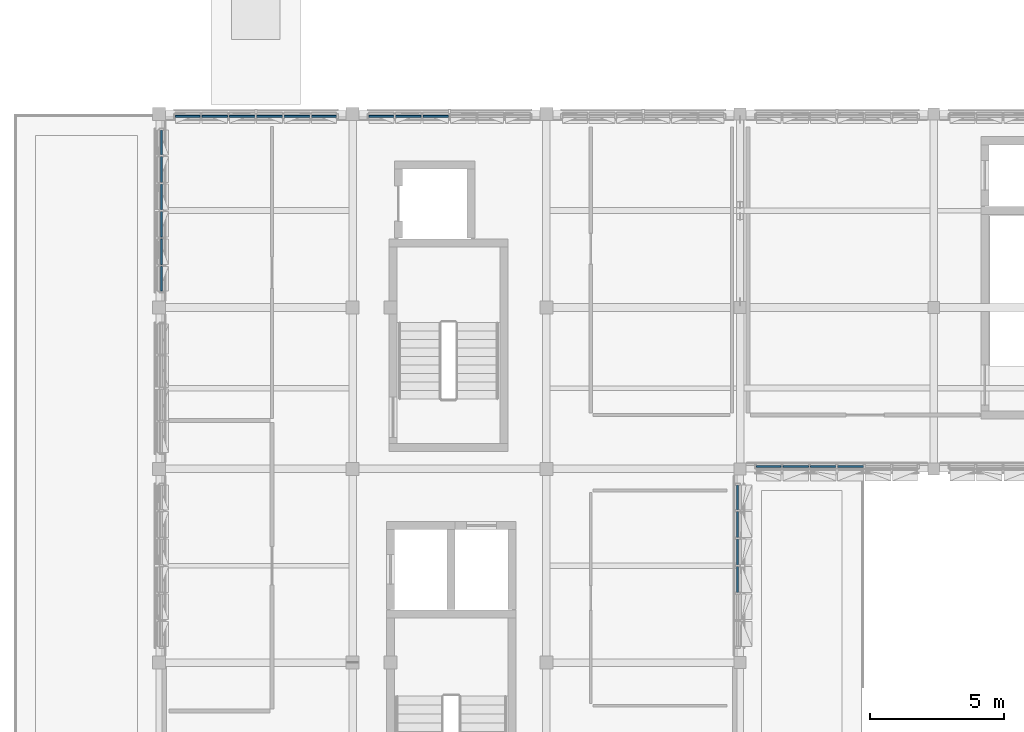
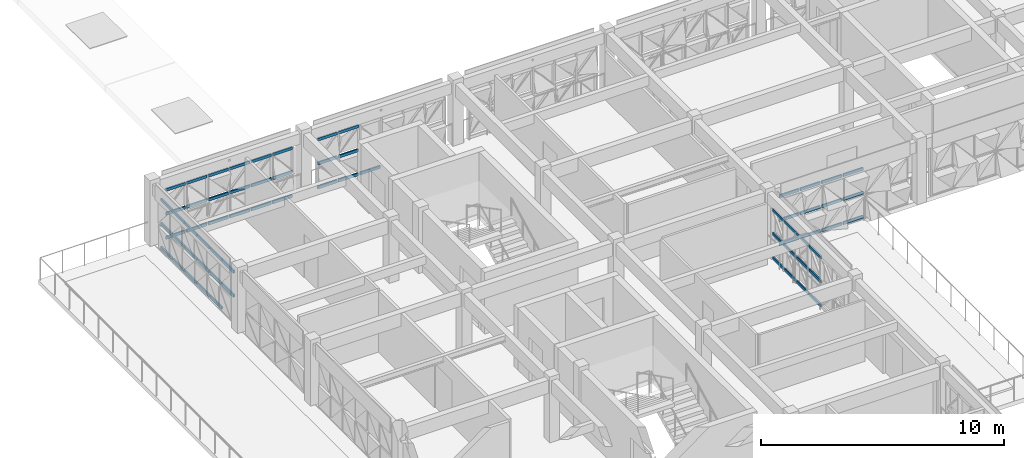
# One storey, part 9 of 35: 66 members, 5 elements without a shape of their own.
"""IFC4 building model written with IfcOpenShell, lengths in metres."""

from ifc_helpers import new_model, si_unit, direction, frame, origin, origin_2d, place, context, subcontext, project, spatial, rectangle, extrude, material, material_profile, profile_set, type_object, element, aggregate, save


model = new_model("IFC4")

# Units and contexts
model_context = context("Model", 3, precision=1e-05, world=origin(), true_north=direction((0.0, 1.0)))
body_context = subcontext(model_context, "Body", "Model", "MODEL_VIEW")
ifc_project = project(units=[si_unit("LENGTHUNIT", "METRE"), si_unit("AREAUNIT", "SQUARE_METRE"), si_unit("VOLUMEUNIT", "CUBIC_METRE"), si_unit("PLANEANGLEUNIT", "RADIAN"), si_unit("MASSUNIT", "GRAM", prefix="KILO")], contexts=[model_context])

# Site, building, storey
site_placement = place(None, origin())
site = spatial("IfcSite", under=ifc_project, at=site_placement, CompositionType="ELEMENT")
building_placement = place(site_placement, origin())
building = spatial("IfcBuilding", under=site, at=building_placement, Name="Alvorim Cloister Faculty of Sciences", CompositionType="ELEMENT")
storey_placement = place(building_placement, frame((0.0, 0.0, 22.949951171875)))
storey = spatial("IfcBuildingStorey", under=building, at=storey_placement, Name="L06", CompositionType="ELEMENT", Elevation=22.949951171875)

# Curtain wall, members
ifc_material_1 = material(Name="Aluminium and Low-E Glass Curtain Wall", Category="aluminium")
curtain_wall_type = type_object("IfcCurtainWallType", Name="CW-TRI-6120x2550", PredefinedType="USERDEFINED", material=ifc_material_1)
curtain_wall_1_placement = place(storey_placement, origin())
curtain_wall_1 = element("IfcCurtainWall", 1, at=curtain_wall_1_placement, inside=storey, type_object=curtain_wall_type, Name="L06 Diagonal Cassette Curtain Wall CW-0244", ObjectType="UNITISED CURTAIN WALL", PredefinedType="USERDEFINED")
ifc_material_2 = material(Name="Aluminium Alloy 6063-T6", Category="aluminium")
ifc_material_profile = material_profile(ifc_material_2, rectangle(XDim=0.06494140625, YDim=0.139892578125, at=origin_2d()), Name="ALU-TRN-65x140")
ifc_profile_set = profile_set([ifc_material_profile], Name="Aluminium Alloy 6063-T6")
member_type = type_object("IfcMemberType", Name="CW-TRN-65x140", PredefinedType="USERDEFINED", material=ifc_profile_set)
member_1_placement = place(storey_placement, frame((7.2900390625, 49.804931640625, 1.275146484375), z_axis=(0.0, 1.0, 0.0), x_axis=(-1.0, 0.0, 0.0)))
member_1 = element("IfcMember", 2, at=member_1_placement, type_object=member_type, Name="CW-0244 Transom 1.2", ObjectType="TRANSOM", PredefinedType="USERDEFINED", context=body_context, shape_type="SweptSolid", body=[
    extrude(rectangle(XDim=0.06494140625, YDim=0.139892578125, at=origin_2d()), origin(), (0.0, 0.0, 1.0), 0.922607421875),
])
member_2_placement = place(storey_placement, frame((7.2900390625, 49.804931640625, 2.47998046875), z_axis=(0.0, 1.0, 0.0), x_axis=(-1.0, 0.0, 0.0)))
member_2 = element("IfcMember", 3, at=member_2_placement, type_object=member_type, Name="CW-0244 Transom 1.3", ObjectType="TRANSOM", PredefinedType="USERDEFINED", context=body_context, shape_type="SweptSolid", body=[
    extrude(rectangle(XDim=0.06494140625, YDim=0.139892578125, at=origin_2d()), origin(), (0.0, 0.0, 1.0), 0.922607421875),
])
member_3_placement = place(storey_placement, frame((7.2900390625, 50.79248046875, 0.070068359375), z_axis=(0.0, 1.0, 0.0), x_axis=(-1.0, 0.0, 0.0)))
member_3 = element("IfcMember", 4, at=member_3_placement, type_object=member_type, Name="CW-0244 Transom 2.1", ObjectType="TRANSOM", PredefinedType="USERDEFINED", context=body_context, shape_type="SweptSolid", body=[
    extrude(rectangle(XDim=0.06494140625, YDim=0.139892578125, at=origin_2d()), origin(), (0.0, 0.0, 1.0), 0.955078125),
])
member_4_placement = place(storey_placement, frame((7.2900390625, 50.79248046875, 1.275146484375), z_axis=(0.0, 1.0, 0.0), x_axis=(-1.0, 0.0, 0.0)))
member_4 = element("IfcMember", 5, at=member_4_placement, type_object=member_type, Name="CW-0244 Transom 2.2", ObjectType="TRANSOM", PredefinedType="USERDEFINED", context=body_context, shape_type="SweptSolid", body=[
    extrude(rectangle(XDim=0.06494140625, YDim=0.139892578125, at=origin_2d()), origin(), (0.0, 0.0, 1.0), 0.955078125),
])
member_5_placement = place(storey_placement, frame((7.2900390625, 50.79248046875, 2.47998046875), z_axis=(0.0, 1.0, 0.0), x_axis=(-1.0, 0.0, 0.0)))
member_5 = element("IfcMember", 6, at=member_5_placement, type_object=member_type, Name="CW-0244 Transom 2.3", ObjectType="TRANSOM", PredefinedType="USERDEFINED", context=body_context, shape_type="SweptSolid", body=[
    extrude(rectangle(XDim=0.06494140625, YDim=0.139892578125, at=origin_2d()), origin(), (0.0, 0.0, 1.0), 0.955078125),
])
member_6_placement = place(storey_placement, frame((7.2900390625, 51.8125, 0.070068359375), z_axis=(0.0, 1.0, 0.0), x_axis=(-1.0, 0.0, 0.0)))
member_6 = element("IfcMember", 7, at=member_6_placement, type_object=member_type, Name="CW-0244 Transom 3.1", ObjectType="TRANSOM", PredefinedType="USERDEFINED", context=body_context, shape_type="SweptSolid", body=[
    extrude(rectangle(XDim=0.06494140625, YDim=0.139892578125, at=origin_2d()), origin(), (0.0, 0.0, 1.0), 0.955078125),
])
member_7_placement = place(storey_placement, frame((7.2900390625, 51.8125, 1.275146484375), z_axis=(0.0, 1.0, 0.0), x_axis=(-1.0, 0.0, 0.0)))
member_7 = element("IfcMember", 8, at=member_7_placement, type_object=member_type, Name="CW-0244 Transom 3.2", ObjectType="TRANSOM", PredefinedType="USERDEFINED", context=body_context, shape_type="SweptSolid", body=[
    extrude(rectangle(XDim=0.06494140625, YDim=0.139892578125, at=origin_2d()), origin(), (0.0, 0.0, 1.0), 0.955078125),
])
member_8_placement = place(storey_placement, frame((7.2900390625, 51.8125, 2.47998046875), z_axis=(0.0, 1.0, 0.0), x_axis=(-1.0, 0.0, 0.0)))
member_8 = element("IfcMember", 9, at=member_8_placement, type_object=member_type, Name="CW-0244 Transom 3.3", ObjectType="TRANSOM", PredefinedType="USERDEFINED", context=body_context, shape_type="SweptSolid", body=[
    extrude(rectangle(XDim=0.06494140625, YDim=0.139892578125, at=origin_2d()), origin(), (0.0, 0.0, 1.0), 0.955078125),
])
member_9_placement = place(storey_placement, frame((7.2900390625, 52.83251953125, 0.070068359375), z_axis=(0.0, 1.0, 0.0), x_axis=(-1.0, 0.0, 0.0)))
member_9 = element("IfcMember", 10, at=member_9_placement, type_object=member_type, Name="CW-0244 Transom 4.1", ObjectType="TRANSOM", PredefinedType="USERDEFINED", context=body_context, shape_type="SweptSolid", body=[
    extrude(rectangle(XDim=0.06494140625, YDim=0.139892578125, at=origin_2d()), origin(), (0.0, 0.0, 1.0), 0.955078125),
])
member_10_placement = place(storey_placement, frame((7.2900390625, 52.83251953125, 1.275146484375), z_axis=(0.0, 1.0, 0.0), x_axis=(-1.0, 0.0, 0.0)))
member_10 = element("IfcMember", 11, at=member_10_placement, type_object=member_type, Name="CW-0244 Transom 4.2", ObjectType="TRANSOM", PredefinedType="USERDEFINED", context=body_context, shape_type="SweptSolid", body=[
    extrude(rectangle(XDim=0.06494140625, YDim=0.139892578125, at=origin_2d()), origin(), (0.0, 0.0, 1.0), 0.955078125),
])
member_11_placement = place(storey_placement, frame((7.2900390625, 52.83251953125, 2.47998046875), z_axis=(0.0, 1.0, 0.0), x_axis=(-1.0, 0.0, 0.0)))
member_11 = element("IfcMember", 12, at=member_11_placement, type_object=member_type, Name="CW-0244 Transom 4.3", ObjectType="TRANSOM", PredefinedType="USERDEFINED", context=body_context, shape_type="SweptSolid", body=[
    extrude(rectangle(XDim=0.06494140625, YDim=0.139892578125, at=origin_2d()), origin(), (0.0, 0.0, 1.0), 0.955078125),
])
member_12_placement = place(storey_placement, frame((7.2900390625, 53.8525390625, 0.070068359375), z_axis=(0.0, 1.0, 0.0), x_axis=(-1.0, 0.0, 0.0)))
member_12 = element("IfcMember", 13, at=member_12_placement, type_object=member_type, Name="CW-0244 Transom 5.1", ObjectType="TRANSOM", PredefinedType="USERDEFINED", context=body_context, shape_type="SweptSolid", body=[
    extrude(rectangle(XDim=0.06494140625, YDim=0.139892578125, at=origin_2d()), origin(), (0.0, 0.0, 1.0), 0.955078125),
])
member_13_placement = place(storey_placement, frame((7.2900390625, 53.8525390625, 1.275146484375), z_axis=(0.0, 1.0, 0.0), x_axis=(-1.0, 0.0, 0.0)))
member_13 = element("IfcMember", 14, at=member_13_placement, type_object=member_type, Name="CW-0244 Transom 5.2", ObjectType="TRANSOM", PredefinedType="USERDEFINED", context=body_context, shape_type="SweptSolid", body=[
    extrude(rectangle(XDim=0.06494140625, YDim=0.139892578125, at=origin_2d()), origin(), (0.0, 0.0, 1.0), 0.955078125),
])
member_14_placement = place(storey_placement, frame((7.2900390625, 53.8525390625, 2.47998046875), z_axis=(0.0, 1.0, 0.0), x_axis=(-1.0, 0.0, 0.0)))
member_14 = element("IfcMember", 15, at=member_14_placement, type_object=member_type, Name="CW-0244 Transom 5.3", ObjectType="TRANSOM", PredefinedType="USERDEFINED", context=body_context, shape_type="SweptSolid", body=[
    extrude(rectangle(XDim=0.06494140625, YDim=0.139892578125, at=origin_2d()), origin(), (0.0, 0.0, 1.0), 0.955078125),
])
member_15_placement = place(storey_placement, frame((7.2900390625, 54.87255859375, 0.070068359375), z_axis=(0.0, 1.0, 0.0), x_axis=(-1.0, 0.0, 0.0)))
member_15 = element("IfcMember", 16, at=member_15_placement, type_object=member_type, Name="CW-0244 Transom 6.1", ObjectType="TRANSOM", PredefinedType="USERDEFINED", context=body_context, shape_type="SweptSolid", body=[
    extrude(rectangle(XDim=0.06494140625, YDim=0.139892578125, at=origin_2d()), origin(), (0.0, 0.0, 1.0), 0.92236328125),
])
member_16_placement = place(storey_placement, frame((7.2900390625, 54.87255859375, 1.275146484375), z_axis=(0.0, 1.0, 0.0), x_axis=(-1.0, 0.0, 0.0)))
member_16 = element("IfcMember", 17, at=member_16_placement, type_object=member_type, Name="CW-0244 Transom 6.2", ObjectType="TRANSOM", PredefinedType="USERDEFINED", context=body_context, shape_type="SweptSolid", body=[
    extrude(rectangle(XDim=0.06494140625, YDim=0.139892578125, at=origin_2d()), origin(), (0.0, 0.0, 1.0), 0.92236328125),
])
member_17_placement = place(storey_placement, frame((7.2900390625, 54.87255859375, 2.47998046875), z_axis=(0.0, 1.0, 0.0), x_axis=(-1.0, 0.0, 0.0)))
member_17 = element("IfcMember", 18, at=member_17_placement, type_object=member_type, Name="CW-0244 Transom 6.3", ObjectType="TRANSOM", PredefinedType="USERDEFINED", context=body_context, shape_type="SweptSolid", body=[
    extrude(rectangle(XDim=0.06494140625, YDim=0.139892578125, at=origin_2d()), origin(), (0.0, 0.0, 1.0), 0.92236328125),
])
aggregate(curtain_wall_1, [member_1, member_2, member_3, member_4, member_5, member_6, member_7, member_8, member_9, member_10, member_11, member_12, member_13, member_14, member_15, member_16, member_17])

curtain_wall_2_placement = place(storey_placement, origin())
curtain_wall_2 = element("IfcCurtainWall", 19, at=curtain_wall_2_placement, inside=storey, type_object=curtain_wall_type, Name="L06 Diagonal Cassette Curtain Wall CW-0245", ObjectType="UNITISED CURTAIN WALL", PredefinedType="USERDEFINED")
member_18_placement = place(storey_placement, frame((7.804931640625, 56.31005859375, 0.070068359375), z_axis=(1.0, 0.0, 0.0), x_axis=(0.0, 1.0, 0.0)))
member_18 = element("IfcMember", 20, at=member_18_placement, type_object=member_type, Name="CW-0245 Transom 1.1", ObjectType="TRANSOM", PredefinedType="USERDEFINED", context=body_context, shape_type="SweptSolid", body=[
    extrude(rectangle(XDim=0.06494140625, YDim=0.139892578125, at=origin_2d()), origin(), (0.0, 0.0, 1.0), 0.922607421875),
])
member_19_placement = place(storey_placement, frame((7.804931640625, 56.31005859375, 1.275146484375), z_axis=(1.0, 0.0, 0.0), x_axis=(0.0, 1.0, 0.0)))
member_19 = element("IfcMember", 21, at=member_19_placement, type_object=member_type, Name="CW-0245 Transom 1.2", ObjectType="TRANSOM", PredefinedType="USERDEFINED", context=body_context, shape_type="SweptSolid", body=[
    extrude(rectangle(XDim=0.06494140625, YDim=0.139892578125, at=origin_2d()), origin(), (0.0, 0.0, 1.0), 0.922607421875),
])
member_20_placement = place(storey_placement, frame((7.804931640625, 56.31005859375, 2.47998046875), z_axis=(1.0, 0.0, 0.0), x_axis=(0.0, 1.0, 0.0)))
member_20 = element("IfcMember", 22, at=member_20_placement, type_object=member_type, Name="CW-0245 Transom 1.3", ObjectType="TRANSOM", PredefinedType="USERDEFINED", context=body_context, shape_type="SweptSolid", body=[
    extrude(rectangle(XDim=0.06494140625, YDim=0.139892578125, at=origin_2d()), origin(), (0.0, 0.0, 1.0), 0.922607421875),
])
member_21_placement = place(storey_placement, frame((8.79248046875, 56.31005859375, 0.070068359375), z_axis=(1.0, 0.0, 0.0), x_axis=(0.0, 1.0, 0.0)))
member_21 = element("IfcMember", 23, at=member_21_placement, type_object=member_type, Name="CW-0245 Transom 2.1", ObjectType="TRANSOM", PredefinedType="USERDEFINED", context=body_context, shape_type="SweptSolid", body=[
    extrude(rectangle(XDim=0.06494140625, YDim=0.139892578125, at=origin_2d()), origin(), (0.0, 0.0, 1.0), 0.955078125),
])
member_22_placement = place(storey_placement, frame((8.79248046875, 56.31005859375, 1.275146484375), z_axis=(1.0, 0.0, 0.0), x_axis=(0.0, 1.0, 0.0)))
member_22 = element("IfcMember", 24, at=member_22_placement, type_object=member_type, Name="CW-0245 Transom 2.2", ObjectType="TRANSOM", PredefinedType="USERDEFINED", context=body_context, shape_type="SweptSolid", body=[
    extrude(rectangle(XDim=0.06494140625, YDim=0.139892578125, at=origin_2d()), origin(), (0.0, 0.0, 1.0), 0.955078125),
])
member_23_placement = place(storey_placement, frame((8.79248046875, 56.31005859375, 2.47998046875), z_axis=(1.0, 0.0, 0.0), x_axis=(0.0, 1.0, 0.0)))
member_23 = element("IfcMember", 25, at=member_23_placement, type_object=member_type, Name="CW-0245 Transom 2.3", ObjectType="TRANSOM", PredefinedType="USERDEFINED", context=body_context, shape_type="SweptSolid", body=[
    extrude(rectangle(XDim=0.06494140625, YDim=0.139892578125, at=origin_2d()), origin(), (0.0, 0.0, 1.0), 0.955078125),
])
member_24_placement = place(storey_placement, frame((9.8125, 56.31005859375, 0.070068359375), z_axis=(1.0, 0.0, 0.0), x_axis=(0.0, 1.0, 0.0)))
member_24 = element("IfcMember", 26, at=member_24_placement, type_object=member_type, Name="CW-0245 Transom 3.1", ObjectType="TRANSOM", PredefinedType="USERDEFINED", context=body_context, shape_type="SweptSolid", body=[
    extrude(rectangle(XDim=0.06494140625, YDim=0.139892578125, at=origin_2d()), origin(), (0.0, 0.0, 1.0), 0.955078125),
])
member_25_placement = place(storey_placement, frame((9.8125, 56.31005859375, 1.275146484375), z_axis=(1.0, 0.0, 0.0), x_axis=(0.0, 1.0, 0.0)))
member_25 = element("IfcMember", 27, at=member_25_placement, type_object=member_type, Name="CW-0245 Transom 3.2", ObjectType="TRANSOM", PredefinedType="USERDEFINED", context=body_context, shape_type="SweptSolid", body=[
    extrude(rectangle(XDim=0.06494140625, YDim=0.139892578125, at=origin_2d()), origin(), (0.0, 0.0, 1.0), 0.955078125),
])
member_26_placement = place(storey_placement, frame((9.8125, 56.31005859375, 2.47998046875), z_axis=(1.0, 0.0, 0.0), x_axis=(0.0, 1.0, 0.0)))
member_26 = element("IfcMember", 28, at=member_26_placement, type_object=member_type, Name="CW-0245 Transom 3.3", ObjectType="TRANSOM", PredefinedType="USERDEFINED", context=body_context, shape_type="SweptSolid", body=[
    extrude(rectangle(XDim=0.06494140625, YDim=0.139892578125, at=origin_2d()), origin(), (0.0, 0.0, 1.0), 0.955078125),
])
member_27_placement = place(storey_placement, frame((10.83251953125, 56.31005859375, 0.070068359375), z_axis=(1.0, 0.0, 0.0), x_axis=(0.0, 1.0, 0.0)))
member_27 = element("IfcMember", 29, at=member_27_placement, type_object=member_type, Name="CW-0245 Transom 4.1", ObjectType="TRANSOM", PredefinedType="USERDEFINED", context=body_context, shape_type="SweptSolid", body=[
    extrude(rectangle(XDim=0.06494140625, YDim=0.139892578125, at=origin_2d()), origin(), (0.0, 0.0, 1.0), 0.955078125),
])
member_28_placement = place(storey_placement, frame((10.83251953125, 56.31005859375, 1.275146484375), z_axis=(1.0, 0.0, 0.0), x_axis=(0.0, 1.0, 0.0)))
member_28 = element("IfcMember", 30, at=member_28_placement, type_object=member_type, Name="CW-0245 Transom 4.2", ObjectType="TRANSOM", PredefinedType="USERDEFINED", context=body_context, shape_type="SweptSolid", body=[
    extrude(rectangle(XDim=0.06494140625, YDim=0.139892578125, at=origin_2d()), origin(), (0.0, 0.0, 1.0), 0.955078125),
])
member_29_placement = place(storey_placement, frame((10.83251953125, 56.31005859375, 2.47998046875), z_axis=(1.0, 0.0, 0.0), x_axis=(0.0, 1.0, 0.0)))
member_29 = element("IfcMember", 31, at=member_29_placement, type_object=member_type, Name="CW-0245 Transom 4.3", ObjectType="TRANSOM", PredefinedType="USERDEFINED", context=body_context, shape_type="SweptSolid", body=[
    extrude(rectangle(XDim=0.06494140625, YDim=0.139892578125, at=origin_2d()), origin(), (0.0, 0.0, 1.0), 0.955078125),
])
member_30_placement = place(storey_placement, frame((11.8525390625, 56.31005859375, 0.070068359375), z_axis=(1.0, 0.0, 0.0), x_axis=(0.0, 1.0, 0.0)))
member_30 = element("IfcMember", 32, at=member_30_placement, type_object=member_type, Name="CW-0245 Transom 5.1", ObjectType="TRANSOM", PredefinedType="USERDEFINED", context=body_context, shape_type="SweptSolid", body=[
    extrude(rectangle(XDim=0.06494140625, YDim=0.139892578125, at=origin_2d()), origin(), (0.0, 0.0, 1.0), 0.955078125),
])
member_31_placement = place(storey_placement, frame((11.8525390625, 56.31005859375, 1.275146484375), z_axis=(1.0, 0.0, 0.0), x_axis=(0.0, 1.0, 0.0)))
member_31 = element("IfcMember", 33, at=member_31_placement, type_object=member_type, Name="CW-0245 Transom 5.2", ObjectType="TRANSOM", PredefinedType="USERDEFINED", context=body_context, shape_type="SweptSolid", body=[
    extrude(rectangle(XDim=0.06494140625, YDim=0.139892578125, at=origin_2d()), origin(), (0.0, 0.0, 1.0), 0.955078125),
])
member_32_placement = place(storey_placement, frame((11.8525390625, 56.31005859375, 2.47998046875), z_axis=(1.0, 0.0, 0.0), x_axis=(0.0, 1.0, 0.0)))
member_32 = element("IfcMember", 34, at=member_32_placement, type_object=member_type, Name="CW-0245 Transom 5.3", ObjectType="TRANSOM", PredefinedType="USERDEFINED", context=body_context, shape_type="SweptSolid", body=[
    extrude(rectangle(XDim=0.06494140625, YDim=0.139892578125, at=origin_2d()), origin(), (0.0, 0.0, 1.0), 0.955078125),
])
member_33_placement = place(storey_placement, frame((12.87255859375, 56.31005859375, 0.070068359375), z_axis=(1.0, 0.0, 0.0), x_axis=(0.0, 1.0, 0.0)))
member_33 = element("IfcMember", 35, at=member_33_placement, type_object=member_type, Name="CW-0245 Transom 6.1", ObjectType="TRANSOM", PredefinedType="USERDEFINED", context=body_context, shape_type="SweptSolid", body=[
    extrude(rectangle(XDim=0.06494140625, YDim=0.139892578125, at=origin_2d()), origin(), (0.0, 0.0, 1.0), 0.92236328125),
])
member_34_placement = place(storey_placement, frame((12.87255859375, 56.31005859375, 1.275146484375), z_axis=(1.0, 0.0, 0.0), x_axis=(0.0, 1.0, 0.0)))
member_34 = element("IfcMember", 36, at=member_34_placement, type_object=member_type, Name="CW-0245 Transom 6.2", ObjectType="TRANSOM", PredefinedType="USERDEFINED", context=body_context, shape_type="SweptSolid", body=[
    extrude(rectangle(XDim=0.06494140625, YDim=0.139892578125, at=origin_2d()), origin(), (0.0, 0.0, 1.0), 0.92236328125),
])
member_35_placement = place(storey_placement, frame((12.87255859375, 56.31005859375, 2.47998046875), z_axis=(1.0, 0.0, 0.0), x_axis=(0.0, 1.0, 0.0)))
member_35 = element("IfcMember", 37, at=member_35_placement, type_object=member_type, Name="CW-0245 Transom 6.3", ObjectType="TRANSOM", PredefinedType="USERDEFINED", context=body_context, shape_type="SweptSolid", body=[
    extrude(rectangle(XDim=0.06494140625, YDim=0.139892578125, at=origin_2d()), origin(), (0.0, 0.0, 1.0), 0.92236328125),
])
aggregate(curtain_wall_2, [member_18, member_19, member_20, member_21, member_22, member_23, member_24, member_25, member_26, member_27, member_28, member_29, member_30, member_31, member_32, member_33, member_34, member_35])

curtain_wall_3_placement = place(storey_placement, origin())
curtain_wall_3 = element("IfcCurtainWall", 38, at=curtain_wall_3_placement, inside=storey, type_object=curtain_wall_type, Name="L06 Diagonal Cassette Curtain Wall CW-0246", ObjectType="UNITISED CURTAIN WALL", PredefinedType="USERDEFINED")
member_36_placement = place(storey_placement, frame((15.0048828125, 56.31005859375, 0.070068359375), z_axis=(1.0, 0.0, 0.0), x_axis=(0.0, 1.0, 0.0)))
member_36 = element("IfcMember", 39, at=member_36_placement, type_object=member_type, Name="CW-0246 Transom 1.1", ObjectType="TRANSOM", PredefinedType="USERDEFINED", context=body_context, shape_type="SweptSolid", body=[
    extrude(rectangle(XDim=0.06494140625, YDim=0.139892578125, at=origin_2d()), origin(), (0.0, 0.0, 1.0), 0.922607421875),
])
member_37_placement = place(storey_placement, frame((15.0048828125, 56.31005859375, 1.275146484375), z_axis=(1.0, 0.0, 0.0), x_axis=(0.0, 1.0, 0.0)))
member_37 = element("IfcMember", 40, at=member_37_placement, type_object=member_type, Name="CW-0246 Transom 1.2", ObjectType="TRANSOM", PredefinedType="USERDEFINED", context=body_context, shape_type="SweptSolid", body=[
    extrude(rectangle(XDim=0.06494140625, YDim=0.139892578125, at=origin_2d()), origin(), (0.0, 0.0, 1.0), 0.922607421875),
])
member_38_placement = place(storey_placement, frame((15.0048828125, 56.31005859375, 2.47998046875), z_axis=(1.0, 0.0, 0.0), x_axis=(0.0, 1.0, 0.0)))
member_38 = element("IfcMember", 41, at=member_38_placement, type_object=member_type, Name="CW-0246 Transom 1.3", ObjectType="TRANSOM", PredefinedType="USERDEFINED", context=body_context, shape_type="SweptSolid", body=[
    extrude(rectangle(XDim=0.06494140625, YDim=0.139892578125, at=origin_2d()), origin(), (0.0, 0.0, 1.0), 0.922607421875),
])
member_39_placement = place(storey_placement, frame((15.992431640625, 56.31005859375, 0.070068359375), z_axis=(1.0, 0.0, 0.0), x_axis=(0.0, 1.0, 0.0)))
member_39 = element("IfcMember", 42, at=member_39_placement, type_object=member_type, Name="CW-0246 Transom 2.1", ObjectType="TRANSOM", PredefinedType="USERDEFINED", context=body_context, shape_type="SweptSolid", body=[
    extrude(rectangle(XDim=0.06494140625, YDim=0.139892578125, at=origin_2d()), origin(), (0.0, 0.0, 1.0), 0.955078125),
])
member_40_placement = place(storey_placement, frame((15.992431640625, 56.31005859375, 1.275146484375), z_axis=(1.0, 0.0, 0.0), x_axis=(0.0, 1.0, 0.0)))
member_40 = element("IfcMember", 43, at=member_40_placement, type_object=member_type, Name="CW-0246 Transom 2.2", ObjectType="TRANSOM", PredefinedType="USERDEFINED", context=body_context, shape_type="SweptSolid", body=[
    extrude(rectangle(XDim=0.06494140625, YDim=0.139892578125, at=origin_2d()), origin(), (0.0, 0.0, 1.0), 0.955078125),
])
member_41_placement = place(storey_placement, frame((15.992431640625, 56.31005859375, 2.47998046875), z_axis=(1.0, 0.0, 0.0), x_axis=(0.0, 1.0, 0.0)))
member_41 = element("IfcMember", 44, at=member_41_placement, type_object=member_type, Name="CW-0246 Transom 2.3", ObjectType="TRANSOM", PredefinedType="USERDEFINED", context=body_context, shape_type="SweptSolid", body=[
    extrude(rectangle(XDim=0.06494140625, YDim=0.139892578125, at=origin_2d()), origin(), (0.0, 0.0, 1.0), 0.955078125),
])
member_42_placement = place(storey_placement, frame((17.012451171875, 56.31005859375, 0.070068359375), z_axis=(1.0, 0.0, 0.0), x_axis=(0.0, 1.0, 0.0)))
member_42 = element("IfcMember", 45, at=member_42_placement, type_object=member_type, Name="CW-0246 Transom 3.1", ObjectType="TRANSOM", PredefinedType="USERDEFINED", context=body_context, shape_type="SweptSolid", body=[
    extrude(rectangle(XDim=0.06494140625, YDim=0.139892578125, at=origin_2d()), origin(), (0.0, 0.0, 1.0), 0.955078125),
])
aggregate(curtain_wall_3, [member_36, member_37, member_38, member_39, member_40, member_41, member_42])

curtain_wall_4_placement = place(storey_placement, origin())
curtain_wall_4 = element("IfcCurtainWall", 46, at=curtain_wall_4_placement, inside=storey, type_object=curtain_wall_type, Name="L06 Diagonal Cassette Curtain Wall CW-0254", ObjectType="UNITISED CURTAIN WALL", PredefinedType="USERDEFINED")
member_43_placement = place(storey_placement, frame((29.405029296875, 43.2900390625, 0.070068359375), z_axis=(1.0, 0.0, 0.0), x_axis=(0.0, 1.0, 0.0)))
member_43 = element("IfcMember", 47, at=member_43_placement, type_object=member_type, Name="CW-0254 Transom 1.1", ObjectType="TRANSOM", PredefinedType="USERDEFINED", context=body_context, shape_type="SweptSolid", body=[
    extrude(rectangle(XDim=0.06494140625, YDim=0.139892578125, at=origin_2d()), origin(), (0.0, 0.0, 1.0), 0.92236328125),
])
member_44_placement = place(storey_placement, frame((29.405029296875, 43.2900390625, 1.275146484375), z_axis=(1.0, 0.0, 0.0), x_axis=(0.0, 1.0, 0.0)))
member_44 = element("IfcMember", 48, at=member_44_placement, type_object=member_type, Name="CW-0254 Transom 1.2", ObjectType="TRANSOM", PredefinedType="USERDEFINED", context=body_context, shape_type="SweptSolid", body=[
    extrude(rectangle(XDim=0.06494140625, YDim=0.139892578125, at=origin_2d()), origin(), (0.0, 0.0, 1.0), 0.92236328125),
])
member_45_placement = place(storey_placement, frame((29.405029296875, 43.2900390625, 2.47998046875), z_axis=(1.0, 0.0, 0.0), x_axis=(0.0, 1.0, 0.0)))
member_45 = element("IfcMember", 49, at=member_45_placement, type_object=member_type, Name="CW-0254 Transom 1.3", ObjectType="TRANSOM", PredefinedType="USERDEFINED", context=body_context, shape_type="SweptSolid", body=[
    extrude(rectangle(XDim=0.06494140625, YDim=0.139892578125, at=origin_2d()), origin(), (0.0, 0.0, 1.0), 0.92236328125),
])
member_46_placement = place(storey_placement, frame((30.392578125, 43.2900390625, 0.070068359375), z_axis=(1.0, 0.0, 0.0), x_axis=(0.0, 1.0, 0.0)))
member_46 = element("IfcMember", 50, at=member_46_placement, type_object=member_type, Name="CW-0254 Transom 2.1", ObjectType="TRANSOM", PredefinedType="USERDEFINED", context=body_context, shape_type="SweptSolid", body=[
    extrude(rectangle(XDim=0.06494140625, YDim=0.139892578125, at=origin_2d()), origin(), (0.0, 0.0, 1.0), 0.954833984375),
])
member_47_placement = place(storey_placement, frame((30.392578125, 43.2900390625, 1.275146484375), z_axis=(1.0, 0.0, 0.0), x_axis=(0.0, 1.0, 0.0)))
member_47 = element("IfcMember", 51, at=member_47_placement, type_object=member_type, Name="CW-0254 Transom 2.2", ObjectType="TRANSOM", PredefinedType="USERDEFINED", context=body_context, shape_type="SweptSolid", body=[
    extrude(rectangle(XDim=0.06494140625, YDim=0.139892578125, at=origin_2d()), origin(), (0.0, 0.0, 1.0), 0.954833984375),
])
member_48_placement = place(storey_placement, frame((30.392578125, 43.2900390625, 2.47998046875), z_axis=(1.0, 0.0, 0.0), x_axis=(0.0, 1.0, 0.0)))
member_48 = element("IfcMember", 52, at=member_48_placement, type_object=member_type, Name="CW-0254 Transom 2.3", ObjectType="TRANSOM", PredefinedType="USERDEFINED", context=body_context, shape_type="SweptSolid", body=[
    extrude(rectangle(XDim=0.06494140625, YDim=0.139892578125, at=origin_2d()), origin(), (0.0, 0.0, 1.0), 0.954833984375),
])
member_49_placement = place(storey_placement, frame((31.41259765625, 43.2900390625, 0.070068359375), z_axis=(1.0, 0.0, 0.0), x_axis=(0.0, 1.0, 0.0)))
member_49 = element("IfcMember", 53, at=member_49_placement, type_object=member_type, Name="CW-0254 Transom 3.1", ObjectType="TRANSOM", PredefinedType="USERDEFINED", context=body_context, shape_type="SweptSolid", body=[
    extrude(rectangle(XDim=0.06494140625, YDim=0.139892578125, at=origin_2d()), origin(), (0.0, 0.0, 1.0), 0.954833984375),
])
member_50_placement = place(storey_placement, frame((31.41259765625, 43.2900390625, 1.275146484375), z_axis=(1.0, 0.0, 0.0), x_axis=(0.0, 1.0, 0.0)))
member_50 = element("IfcMember", 54, at=member_50_placement, type_object=member_type, Name="CW-0254 Transom 3.2", ObjectType="TRANSOM", PredefinedType="USERDEFINED", context=body_context, shape_type="SweptSolid", body=[
    extrude(rectangle(XDim=0.06494140625, YDim=0.139892578125, at=origin_2d()), origin(), (0.0, 0.0, 1.0), 0.954833984375),
])
member_51_placement = place(storey_placement, frame((31.41259765625, 43.2900390625, 2.47998046875), z_axis=(1.0, 0.0, 0.0), x_axis=(0.0, 1.0, 0.0)))
member_51 = element("IfcMember", 55, at=member_51_placement, type_object=member_type, Name="CW-0254 Transom 3.3", ObjectType="TRANSOM", PredefinedType="USERDEFINED", context=body_context, shape_type="SweptSolid", body=[
    extrude(rectangle(XDim=0.06494140625, YDim=0.139892578125, at=origin_2d()), origin(), (0.0, 0.0, 1.0), 0.954833984375),
])
member_52_placement = place(storey_placement, frame((32.4326171875, 43.2900390625, 0.070068359375), z_axis=(1.0, 0.0, 0.0), x_axis=(0.0, 1.0, 0.0)))
member_52 = element("IfcMember", 56, at=member_52_placement, type_object=member_type, Name="CW-0254 Transom 4.1", ObjectType="TRANSOM", PredefinedType="USERDEFINED", context=body_context, shape_type="SweptSolid", body=[
    extrude(rectangle(XDim=0.06494140625, YDim=0.139892578125, at=origin_2d()), origin(), (0.0, 0.0, 1.0), 0.954833984375),
])
member_53_placement = place(storey_placement, frame((32.4326171875, 43.2900390625, 1.275146484375), z_axis=(1.0, 0.0, 0.0), x_axis=(0.0, 1.0, 0.0)))
member_53 = element("IfcMember", 57, at=member_53_placement, type_object=member_type, Name="CW-0254 Transom 4.2", ObjectType="TRANSOM", PredefinedType="USERDEFINED", context=body_context, shape_type="SweptSolid", body=[
    extrude(rectangle(XDim=0.06494140625, YDim=0.139892578125, at=origin_2d()), origin(), (0.0, 0.0, 1.0), 0.954833984375),
])
member_54_placement = place(storey_placement, frame((32.4326171875, 43.2900390625, 2.47998046875), z_axis=(1.0, 0.0, 0.0), x_axis=(0.0, 1.0, 0.0)))
member_54 = element("IfcMember", 58, at=member_54_placement, type_object=member_type, Name="CW-0254 Transom 4.3", ObjectType="TRANSOM", PredefinedType="USERDEFINED", context=body_context, shape_type="SweptSolid", body=[
    extrude(rectangle(XDim=0.06494140625, YDim=0.139892578125, at=origin_2d()), origin(), (0.0, 0.0, 1.0), 0.954833984375),
])
aggregate(curtain_wall_4, [member_43, member_44, member_45, member_46, member_47, member_48, member_49, member_50, member_51, member_52, member_53, member_54])

curtain_wall_5_placement = place(storey_placement, origin())
curtain_wall_5 = element("IfcCurtainWall", 59, at=curtain_wall_5_placement, inside=storey, type_object=curtain_wall_type, Name="L06 Diagonal Cassette Curtain Wall CW-0255", ObjectType="UNITISED CURTAIN WALL", PredefinedType="USERDEFINED")
member_55_placement = place(storey_placement, frame((28.7099609375, 38.612548828125, 0.070068359375), z_axis=(0.0, 1.0, 0.0), x_axis=(-1.0, 0.0, 0.0)))
member_55 = element("IfcMember", 60, at=member_55_placement, type_object=member_type, Name="CW-0255 Transom 3.1", ObjectType="TRANSOM", PredefinedType="USERDEFINED", context=body_context, shape_type="SweptSolid", body=[
    extrude(rectangle(XDim=0.06494140625, YDim=0.139892578125, at=origin_2d()), origin(), (0.0, 0.0, 1.0), 0.954833984375),
])
member_56_placement = place(storey_placement, frame((28.7099609375, 38.612548828125, 1.275146484375), z_axis=(0.0, 1.0, 0.0), x_axis=(-1.0, 0.0, 0.0)))
member_56 = element("IfcMember", 61, at=member_56_placement, type_object=member_type, Name="CW-0255 Transom 3.2", ObjectType="TRANSOM", PredefinedType="USERDEFINED", context=body_context, shape_type="SweptSolid", body=[
    extrude(rectangle(XDim=0.06494140625, YDim=0.139892578125, at=origin_2d()), origin(), (0.0, 0.0, 1.0), 0.954833984375),
])
member_57_placement = place(storey_placement, frame((28.7099609375, 38.612548828125, 2.47998046875), z_axis=(0.0, 1.0, 0.0), x_axis=(-1.0, 0.0, 0.0)))
member_57 = element("IfcMember", 62, at=member_57_placement, type_object=member_type, Name="CW-0255 Transom 3.3", ObjectType="TRANSOM", PredefinedType="USERDEFINED", context=body_context, shape_type="SweptSolid", body=[
    extrude(rectangle(XDim=0.06494140625, YDim=0.139892578125, at=origin_2d()), origin(), (0.0, 0.0, 1.0), 0.954833984375),
])
member_58_placement = place(storey_placement, frame((28.7099609375, 39.632568359375, 0.070068359375), z_axis=(0.0, 1.0, 0.0), x_axis=(-1.0, 0.0, 0.0)))
member_58 = element("IfcMember", 63, at=member_58_placement, type_object=member_type, Name="CW-0255 Transom 4.1", ObjectType="TRANSOM", PredefinedType="USERDEFINED", context=body_context, shape_type="SweptSolid", body=[
    extrude(rectangle(XDim=0.06494140625, YDim=0.139892578125, at=origin_2d()), origin(), (0.0, 0.0, 1.0), 0.954833984375),
])
member_59_placement = place(storey_placement, frame((28.7099609375, 39.632568359375, 1.275146484375), z_axis=(0.0, 1.0, 0.0), x_axis=(-1.0, 0.0, 0.0)))
member_59 = element("IfcMember", 64, at=member_59_placement, type_object=member_type, Name="CW-0255 Transom 4.2", ObjectType="TRANSOM", PredefinedType="USERDEFINED", context=body_context, shape_type="SweptSolid", body=[
    extrude(rectangle(XDim=0.06494140625, YDim=0.139892578125, at=origin_2d()), origin(), (0.0, 0.0, 1.0), 0.954833984375),
])
member_60_placement = place(storey_placement, frame((28.7099609375, 39.632568359375, 2.47998046875), z_axis=(0.0, 1.0, 0.0), x_axis=(-1.0, 0.0, 0.0)))
member_60 = element("IfcMember", 65, at=member_60_placement, type_object=member_type, Name="CW-0255 Transom 4.3", ObjectType="TRANSOM", PredefinedType="USERDEFINED", context=body_context, shape_type="SweptSolid", body=[
    extrude(rectangle(XDim=0.06494140625, YDim=0.139892578125, at=origin_2d()), origin(), (0.0, 0.0, 1.0), 0.954833984375),
])
member_61_placement = place(storey_placement, frame((28.7099609375, 40.652587890625, 0.070068359375), z_axis=(0.0, 1.0, 0.0), x_axis=(-1.0, 0.0, 0.0)))
member_61 = element("IfcMember", 66, at=member_61_placement, type_object=member_type, Name="CW-0255 Transom 5.1", ObjectType="TRANSOM", PredefinedType="USERDEFINED", context=body_context, shape_type="SweptSolid", body=[
    extrude(rectangle(XDim=0.06494140625, YDim=0.139892578125, at=origin_2d()), origin(), (0.0, 0.0, 1.0), 0.954833984375),
])
member_62_placement = place(storey_placement, frame((28.7099609375, 40.652587890625, 1.275146484375), z_axis=(0.0, 1.0, 0.0), x_axis=(-1.0, 0.0, 0.0)))
member_62 = element("IfcMember", 67, at=member_62_placement, type_object=member_type, Name="CW-0255 Transom 5.2", ObjectType="TRANSOM", PredefinedType="USERDEFINED", context=body_context, shape_type="SweptSolid", body=[
    extrude(rectangle(XDim=0.06494140625, YDim=0.139892578125, at=origin_2d()), origin(), (0.0, 0.0, 1.0), 0.954833984375),
])
member_63_placement = place(storey_placement, frame((28.7099609375, 40.652587890625, 2.47998046875), z_axis=(0.0, 1.0, 0.0), x_axis=(-1.0, 0.0, 0.0)))
member_63 = element("IfcMember", 68, at=member_63_placement, type_object=member_type, Name="CW-0255 Transom 5.3", ObjectType="TRANSOM", PredefinedType="USERDEFINED", context=body_context, shape_type="SweptSolid", body=[
    extrude(rectangle(XDim=0.06494140625, YDim=0.139892578125, at=origin_2d()), origin(), (0.0, 0.0, 1.0), 0.954833984375),
])
member_64_placement = place(storey_placement, frame((28.7099609375, 41.672607421875, 0.070068359375), z_axis=(0.0, 1.0, 0.0), x_axis=(-1.0, 0.0, 0.0)))
member_64 = element("IfcMember", 69, at=member_64_placement, type_object=member_type, Name="CW-0255 Transom 6.1", ObjectType="TRANSOM", PredefinedType="USERDEFINED", context=body_context, shape_type="SweptSolid", body=[
    extrude(rectangle(XDim=0.06494140625, YDim=0.139892578125, at=origin_2d()), origin(), (0.0, 0.0, 1.0), 0.92236328125),
])
member_65_placement = place(storey_placement, frame((28.7099609375, 41.672607421875, 1.275146484375), z_axis=(0.0, 1.0, 0.0), x_axis=(-1.0, 0.0, 0.0)))
member_65 = element("IfcMember", 70, at=member_65_placement, type_object=member_type, Name="CW-0255 Transom 6.2", ObjectType="TRANSOM", PredefinedType="USERDEFINED", context=body_context, shape_type="SweptSolid", body=[
    extrude(rectangle(XDim=0.06494140625, YDim=0.139892578125, at=origin_2d()), origin(), (0.0, 0.0, 1.0), 0.92236328125),
])
member_66_placement = place(storey_placement, frame((28.7099609375, 41.672607421875, 2.47998046875), z_axis=(0.0, 1.0, 0.0), x_axis=(-1.0, 0.0, 0.0)))
member_66 = element("IfcMember", 71, at=member_66_placement, type_object=member_type, Name="CW-0255 Transom 6.3", ObjectType="TRANSOM", PredefinedType="USERDEFINED", context=body_context, shape_type="SweptSolid", body=[
    extrude(rectangle(XDim=0.06494140625, YDim=0.139892578125, at=origin_2d()), origin(), (0.0, 0.0, 1.0), 0.92236328125),
])
aggregate(curtain_wall_5, [member_55, member_56, member_57, member_58, member_59, member_60, member_61, member_62, member_63, member_64, member_65, member_66])

save(model, "model.ifc")
